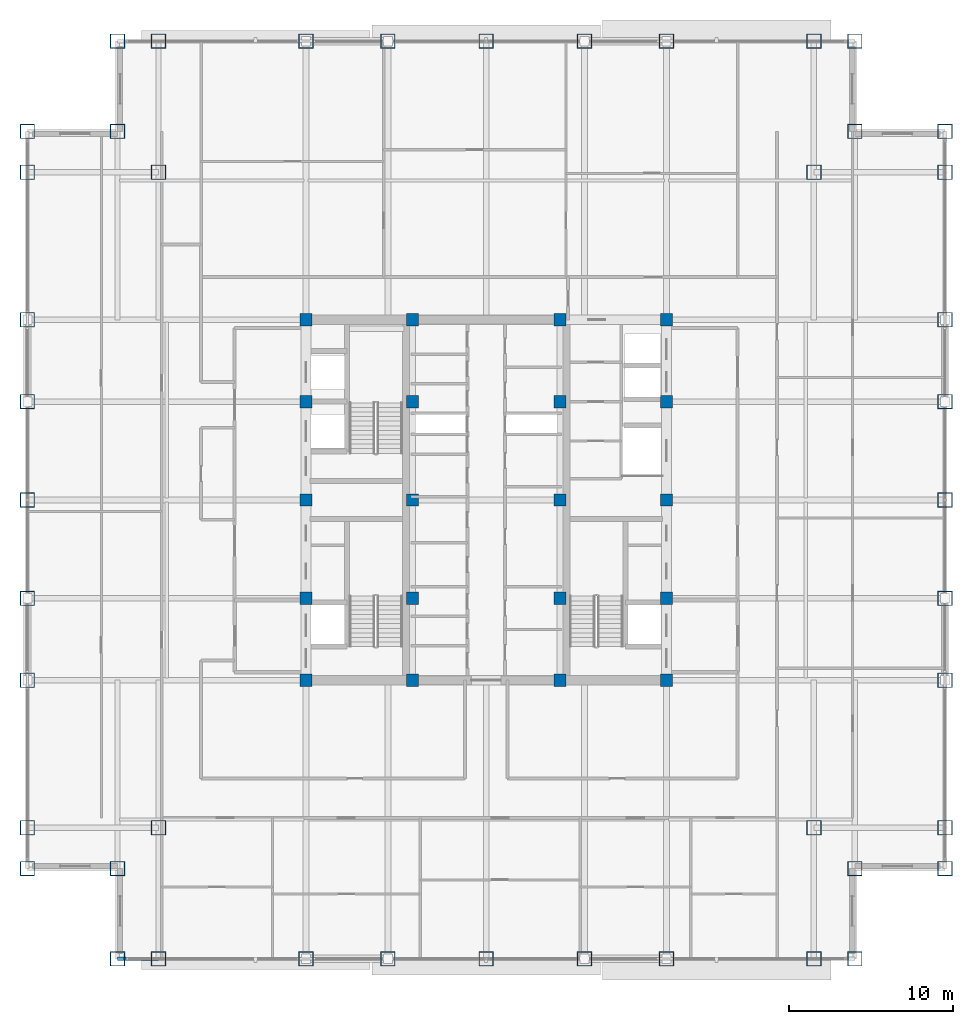
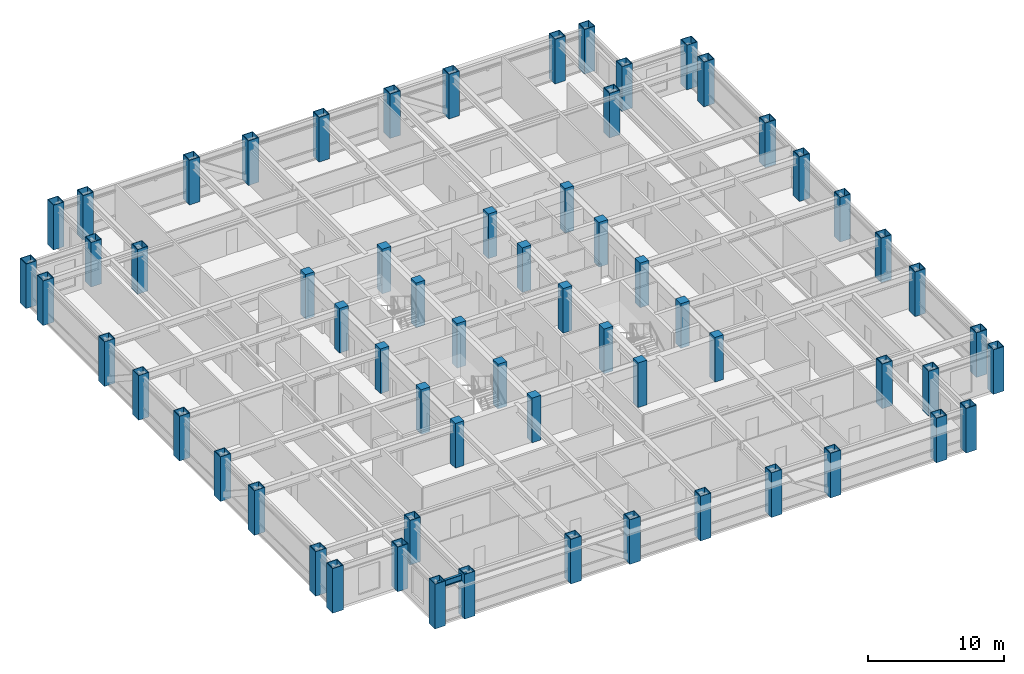
# One storey, part 1 of 29: 64 columns, 1 beam.
"""IFC4 building model written with IfcOpenShell, lengths in metres."""

from ifc_helpers import new_model, si_unit, direction, frame, origin, origin_2d, place, context, subcontext, project, spatial, rectangle, hollow_rectangle, i_section, extrude, source, transform, mapped, material, material_profile, profile_set, type_object, element, save


model = new_model("IFC4")

# Units and contexts
model_context = context("Model", 3, precision=1e-05, world=origin(), true_north=direction((0.0, 1.0)))
body_context = subcontext(model_context, "Body", "Model", "MODEL_VIEW")
ifc_project = project(units=[si_unit("LENGTHUNIT", "METRE"), si_unit("AREAUNIT", "SQUARE_METRE"), si_unit("VOLUMEUNIT", "CUBIC_METRE"), si_unit("PLANEANGLEUNIT", "RADIAN"), si_unit("MASSUNIT", "GRAM", prefix="KILO")], contexts=[model_context])

# Site, building, storey
site_placement = place(None, origin())
site = spatial("IfcSite", under=ifc_project, at=site_placement, CompositionType="ELEMENT")
building_placement = place(site_placement, origin())
building = spatial("IfcBuilding", under=site, at=building_placement, Name="Khorayat Bourse Tower", CompositionType="ELEMENT")
storey_placement = place(building_placement, frame((0.0, 0.0, 277.5)))
storey = spatial("IfcBuildingStorey", under=building, at=storey_placement, Name="L65", CompositionType="ELEMENT", Elevation=277.5)

# Columns
ifc_material_1 = material(Name="Steel EN 10025-4 S460M", Category="steel")
ifc_material_profile_1 = material_profile(ifc_material_1, hollow_rectangle(XDim=0.89990234375, YDim=0.89990234375, WallThickness=0.050048828125, at=origin_2d()), Name="BOX 900x900x50")
ifc_profile_set_1 = profile_set([ifc_material_profile_1], Name="Steel EN 10025-4 S460M")
column_type_1 = type_object("IfcColumnType", Name="COL-TUBE-900", PredefinedType="COLUMN", material=ifc_profile_set_1)
shared_shape_1 = source(origin(), body_context, "Body", "SweptSolid", [
    extrude(hollow_rectangle(XDim=0.89990234375, YDim=0.89990234375, WallThickness=0.050048828125, at=origin_2d()), origin(), (0.0, 0.0, 1.0), 4.0),
])
for number, where, z_axis, x_axis, name in (
    (1, (-28.0, -22.5, 0.0), (0.0, 0.0, 1.0), (1.0, 0.0, 0.0), "L65 Column 001"),
    (2, (-28.0, -20.0, 0.0), (0.0, 0.0, 1.0), (1.0, 0.0, 0.0), "L65 Column 002"),
    (3, (-28.0, -11.0, 0.0), (0.0, 0.0, 1.0), (1.0, 0.0, 0.0), "L65 Column 003"),
    (4, (-28.0, -6.0, 0.0), (0.0, 0.0, 1.0), (1.0, 0.0, 0.0), "L65 Column 004"),
    (5, (-28.0, 0.0, 0.0), (0.0, 0.0, 1.0), (1.0, 0.0, 0.0), "L65 Column 005"),
    (6, (-28.0, 6.0, 0.0), (0.0, 0.0, 1.0), (1.0, 0.0, 0.0), "L65 Column 006"),
    (7, (-28.0, 11.0, 0.0), (0.0, 0.0, 1.0), (1.0, 0.0, 0.0), "L65 Column 007"),
    (8, (-28.0, 20.0, 0.0), (0.0, 0.0, 1.0), (1.0, 0.0, 0.0), "L65 Column 008"),
    (9, (-28.0, 22.5, 0.0), (0.0, 0.0, 1.0), (1.0, 0.0, 0.0), "L65 Column 009"),
    (10, (-22.5, -28.0, 0.0), (0.0, 0.0, 1.0), (1.0, 0.0, 0.0), "L65 Column 010"),
    (11, (-22.5, -22.5, 0.0), (0.0, 0.0, 1.0), (1.0, 0.0, 0.0), "L65 Column 011"),
    (12, (-22.5, 22.5, 0.0), (0.0, 0.0, 1.0), (1.0, 0.0, 0.0), "L65 Column 012"),
    (13, (-22.5, 28.0, 0.0), (0.0, 0.0, 1.0), (1.0, 0.0, 0.0), "L65 Column 013"),
    (14, (-20.0, -28.0, 0.0), (0.0, 0.0, 1.0), (1.0, 0.0, 0.0), "L65 Column 014"),
    (15, (-20.0, -20.0, 0.0), (0.0, 0.0, 1.0), (1.0, 0.0, 0.0), "L65 Column 015"),
    (16, (-20.0, 20.0, 0.0), (0.0, 0.0, 1.0), (1.0, 0.0, 0.0), "L65 Column 016"),
    (17, (-20.0, 28.0, 0.0), (0.0, 0.0, 1.0), (1.0, 0.0, 0.0), "L65 Column 017"),
    (18, (-11.0, -28.0, 0.0), (0.0, 0.0, 1.0), (1.0, 0.0, 0.0), "L65 Column 018"),
    (19, (-11.0, 28.0, 0.0), (0.0, 0.0, 1.0), (1.0, 0.0, 0.0), "L65 Column 024"),
    (20, (-6.0, -28.0, 0.0), (0.0, 0.0, 1.0), (1.0, 0.0, 0.0), "L65 Column 025"),
    (21, (-6.0, 28.0, 0.0), (0.0, 0.0, 1.0), (1.0, 0.0, 0.0), "L65 Column 026"),
    (22, (0.0, -28.0, 0.0), (0.0, 0.0, 1.0), (1.0, 0.0, 0.0), "L65 Column 032"),
    (23, (0.0, 28.0, 0.0), (0.0, 0.0, 1.0), (1.0, 0.0, 0.0), "L65 Column 033"),
    (24, (6.0, -28.0, 0.0), (0.0, 0.0, 1.0), (1.0, 0.0, 0.0), "L65 Column 039"),
    (25, (6.0, 28.0, 0.0), (0.0, 0.0, 1.0), (1.0, 0.0, 0.0), "L65 Column 040"),
    (26, (11.0, -28.0, 0.0), (0.0, 0.0, 1.0), (1.0, 0.0, 0.0), "L65 Column 041"),
    (27, (11.0, 28.0, 0.0), (0.0, 0.0, 1.0), (1.0, 0.0, 0.0), "L65 Column 047"),
    (28, (20.0, -28.0, 0.0), (0.0, 0.0, 1.0), (1.0, 0.0, 0.0), "L65 Column 048"),
    (29, (20.0, -20.0, 0.0), (0.0, 0.0, 1.0), (1.0, 0.0, 0.0), "L65 Column 049"),
    (30, (20.0, 20.0, 0.0), (0.0, 0.0, 1.0), (1.0, 0.0, 0.0), "L65 Column 050"),
    (31, (20.0, 28.0, 0.0), (0.0, 0.0, 1.0), (1.0, 0.0, 0.0), "L65 Column 051"),
    (32, (22.5, -28.0, 0.0), (0.0, 0.0, 1.0), (1.0, 0.0, 0.0), "L65 Column 052"),
    (33, (22.5, -22.5, 0.0), (0.0, 0.0, 1.0), (1.0, 0.0, 0.0), "L65 Column 053"),
    (34, (22.5, 22.5, 0.0), (0.0, 0.0, 1.0), (1.0, 0.0, 0.0), "L65 Column 054"),
    (35, (22.5, 28.0, 0.0), (0.0, 0.0, 1.0), (1.0, 0.0, 0.0), "L65 Column 055"),
    (36, (28.0, -22.5, 0.0), (0.0, 0.0, 1.0), (1.0, 0.0, 0.0), "L65 Column 056"),
    (37, (28.0, -20.0, 0.0), (0.0, 0.0, 1.0), (1.0, 0.0, 0.0), "L65 Column 057"),
    (38, (28.0, -11.0, 0.0), (0.0, 0.0, 1.0), (1.0, 0.0, 0.0), "L65 Column 058"),
    (39, (28.0, -6.0, 0.0), (0.0, 0.0, 1.0), (1.0, 0.0, 0.0), "L65 Column 059"),
    (40, (28.0, 0.0, 0.0), (0.0, 0.0, 1.0), (1.0, 0.0, 0.0), "L65 Column 060"),
    (41, (28.0, 6.0, 0.0), (0.0, 0.0, 1.0), (1.0, 0.0, 0.0), "L65 Column 061"),
    (42, (28.0, 11.0, 0.0), (0.0, 0.0, 1.0), (1.0, 0.0, 0.0), "L65 Column 062"),
    (43, (28.0, 20.0, 0.0), (0.0, 0.0, 1.0), (1.0, 0.0, 0.0), "L65 Column 063"),
    (44, (28.0, 22.5, 0.0), (0.0, 0.0, 1.0), (1.0, 0.0, 0.0), "L65 Column 064"),
):
    element("IfcColumn", number, at=place(storey_placement, frame(where, z_axis=z_axis, x_axis=x_axis)), inside=storey, type_object=column_type_1, Name=name, PredefinedType="COLUMN", context=body_context, shape_type="MappedRepresentation", body=[
        mapped(shared_shape_1, transform((0.0, 0.0, 0.0), scale=1.0)),
    ])
ifc_material_2 = material(Name="Concrete C52/65", Category="concrete")
ifc_material_profile_2 = material_profile(ifc_material_2, rectangle(XDim=0.75, YDim=0.75, at=origin_2d()), Name="RC 750x750")
ifc_profile_set_2 = profile_set([ifc_material_profile_2], Name="Concrete C52/65")
column_type_2 = type_object("IfcColumnType", Name="COL-CORE-750", PredefinedType="COLUMN", material=ifc_profile_set_2)
shared_shape_2 = source(origin(), body_context, "Body", "SweptSolid", [
    extrude(rectangle(XDim=0.75, YDim=0.75, at=origin_2d()), origin(), (0.0, 0.0, 1.0), 4.0),
])
for number, where, z_axis, x_axis, name in (
    (45, (-11.0, -11.0, 0.0), (0.0, 0.0, 1.0), (1.0, 0.0, 0.0), "L65 Column 019"),
    (46, (-11.0, -6.0, 0.0), (0.0, 0.0, 1.0), (1.0, 0.0, 0.0), "L65 Column 020"),
    (47, (-11.0, 0.0, 0.0), (0.0, 0.0, 1.0), (1.0, 0.0, 0.0), "L65 Column 021"),
    (48, (-11.0, 6.0, 0.0), (0.0, 0.0, 1.0), (1.0, 0.0, 0.0), "L65 Column 022"),
    (49, (-11.0, 11.0, 0.0), (0.0, 0.0, 1.0), (1.0, 0.0, 0.0), "L65 Column 023"),
    (50, (-4.5, -11.0, 0.0), (0.0, 0.0, 1.0), (1.0, 0.0, 0.0), "L65 Column 027"),
    (51, (-4.5, -6.0, 0.0), (0.0, 0.0, 1.0), (1.0, 0.0, 0.0), "L65 Column 028"),
    (52, (-4.5, 0.0, 0.0), (0.0, 0.0, 1.0), (1.0, 0.0, 0.0), "L65 Column 029"),
    (53, (-4.5, 6.0, 0.0), (0.0, 0.0, 1.0), (1.0, 0.0, 0.0), "L65 Column 030"),
    (54, (-4.5, 11.0, 0.0), (0.0, 0.0, 1.0), (1.0, 0.0, 0.0), "L65 Column 031"),
    (55, (4.5, -11.0, 0.0), (0.0, 0.0, 1.0), (1.0, 0.0, 0.0), "L65 Column 034"),
    (56, (4.5, -6.0, 0.0), (0.0, 0.0, 1.0), (1.0, 0.0, 0.0), "L65 Column 035"),
    (57, (4.5, 0.0, 0.0), (0.0, 0.0, 1.0), (1.0, 0.0, 0.0), "L65 Column 036"),
    (58, (4.5, 6.0, 0.0), (0.0, 0.0, 1.0), (1.0, 0.0, 0.0), "L65 Column 037"),
    (59, (4.5, 11.0, 0.0), (0.0, 0.0, 1.0), (1.0, 0.0, 0.0), "L65 Column 038"),
    (60, (11.0, -11.0, 0.0), (0.0, 0.0, 1.0), (1.0, 0.0, 0.0), "L65 Column 042"),
    (61, (11.0, -6.0, 0.0), (0.0, 0.0, 1.0), (1.0, 0.0, 0.0), "L65 Column 043"),
    (62, (11.0, 0.0, 0.0), (0.0, 0.0, 1.0), (1.0, 0.0, 0.0), "L65 Column 044"),
    (63, (11.0, 6.0, 0.0), (0.0, 0.0, 1.0), (1.0, 0.0, 0.0), "L65 Column 045"),
    (64, (11.0, 11.0, 0.0), (0.0, 0.0, 1.0), (1.0, 0.0, 0.0), "L65 Column 046"),
):
    element("IfcColumn", number, at=place(storey_placement, frame(where, z_axis=z_axis, x_axis=x_axis)), inside=storey, type_object=column_type_2, Name=name, PredefinedType="COLUMN", context=body_context, shape_type="MappedRepresentation", body=[
        mapped(shared_shape_2, transform((0.0, 0.0, 0.0), scale=1.0)),
    ])

# Beam
ifc_material_3 = material(Name="Steel ASTM A992 Grade 50", Category="steel")
ifc_material_profile_3 = material_profile(ifc_material_3, i_section(OverallWidth=0.214111328125, OverallDepth=0.549072265625, WebThickness=0.0146484375, FlangeThickness=0.023681640625, FilletRadius=0.013916015625, at=origin_2d()), Name="W530X138")
ifc_profile_set_3 = profile_set([ifc_material_profile_3], Name="Steel ASTM A992 Grade 50")
beam_type = type_object("IfcBeamType", Name="BM-SPAN-530", PredefinedType="SPANDREL", material=ifc_profile_set_3)
shared_shape_3 = source(origin(), body_context, "Body", "SweptSolid", [
    extrude(i_section(OverallWidth=0.214111328125, OverallDepth=0.549072265625, WebThickness=0.0146484375, FlangeThickness=0.023681640625, FilletRadius=0.013916015625, at=origin_2d()), origin(), (0.0, 0.0, 1.0), 2.5),
])
beam_placement = place(storey_placement, frame((-22.5, -28.0, 3.505615234375), z_axis=(1.0, 0.0, 0.0), x_axis=(0.0, 1.0, 0.0)))
element("IfcBeam", 65, at=beam_placement, inside=storey, type_object=beam_type, Name="L65 BM-SPAN-530 BM-L65-SPN-024", PredefinedType="SPANDREL", context=body_context, shape_type="MappedRepresentation", body=[
    mapped(shared_shape_3, transform((0.0, 0.0, 0.0), scale=1.0)),
])

save(model, "model.ifc")
